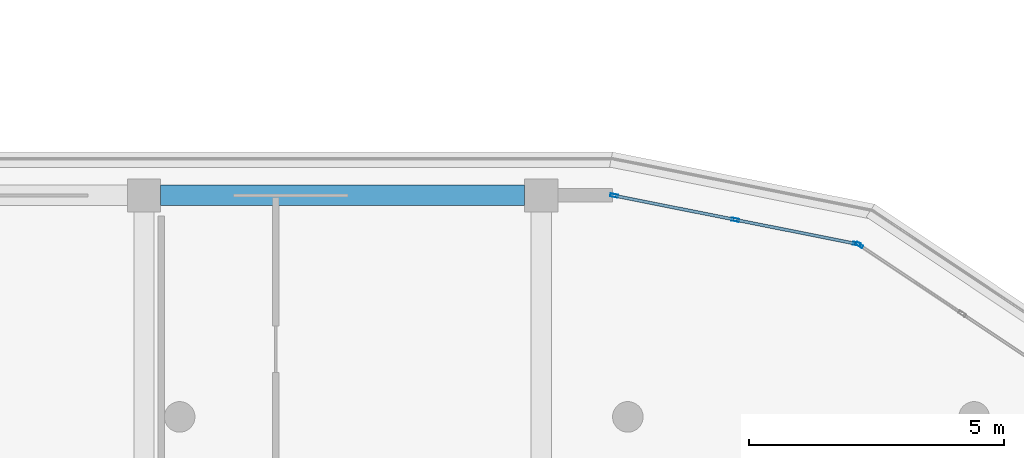
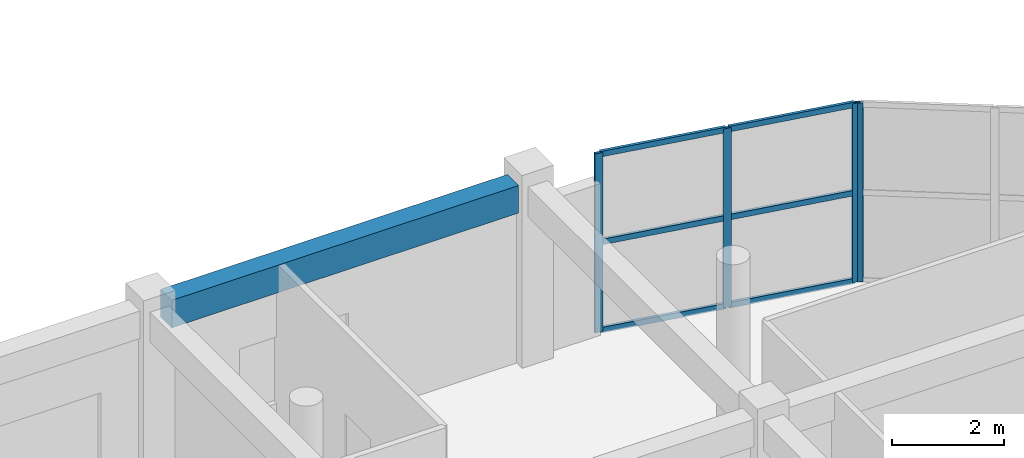
# One storey, part 35 of 57: 10 members, 1 beam, 2 elements without a shape of their own.
"""IFC4 building model written with IfcOpenShell, lengths in metres."""

from ifc_helpers import new_model, si_unit, direction, frame, origin, origin_2d, place, context, subcontext, project, spatial, rectangle, hollow_rectangle, extrude, material, layer, layer_set, material_profile, profile_set, type_object, element, aggregate, save


model = new_model("IFC4")

# Units and contexts
model_context = context("Model", 3, precision=1e-05, world=origin(), true_north=direction((0.0, 1.0)))
body_context = subcontext(model_context, "Body", "Model", "MODEL_VIEW")
ifc_project = project(units=[si_unit("LENGTHUNIT", "METRE"), si_unit("AREAUNIT", "SQUARE_METRE"), si_unit("VOLUMEUNIT", "CUBIC_METRE"), si_unit("PLANEANGLEUNIT", "RADIAN"), si_unit("MASSUNIT", "GRAM", prefix="KILO")], contexts=[model_context])

# Site, building, storey
site_placement = place(None, origin())
site = spatial("IfcSite", under=ifc_project, at=site_placement, CompositionType="ELEMENT")
building_placement = place(site_placement, origin())
building = spatial("IfcBuilding", under=site, at=building_placement, Name="Zizhar Promenade General Hospital", CompositionType="ELEMENT")
storey_placement = place(building_placement, frame((0.0, 0.0, 22.199951171875)))
storey = spatial("IfcBuildingStorey", under=building, at=storey_placement, Name="L05", CompositionType="ELEMENT", Elevation=22.199951171875)

# Beam
ifc_material_1 = material(Name="Concrete C35/45", Category="concrete")
ifc_material_profile_1 = material_profile(ifc_material_1, rectangle(XDim=0.39990234375, YDim=0.60009765625, at=origin_2d()))
ifc_profile_set_1 = profile_set([ifc_material_profile_1], Name="Concrete C35/45")
beam_type = type_object("IfcBeamType", Name="BM-RC-400x600", PredefinedType="JOIST", material=ifc_profile_set_1)
beam_placement = place(storey_placement, frame((109.52490234375, 25.199951171875, 3.610107421875), z_axis=(1.0, 0.0, 0.0), x_axis=(0.0, 1.0, 0.0)))
element("IfcBeam", 1, at=beam_placement, inside=storey, type_object=beam_type, Name="Grid Beam X L05 (14-3)", PredefinedType="JOIST", context=body_context, shape_type="SweptSolid", body=[
    extrude(rectangle(XDim=0.39990234375, YDim=0.60009765625, at=origin_2d()), origin(), (0.0, 0.0, 1.0), 7.150146484375),
])

# Curtain wall, member
ifc_material_2 = material(Name="Anodised aluminium 6063-T6 and low-E glass", Category="aluminium")
ifc_layer = layer(ifc_material_2, 0.159912109375)
ifc_layer_set = layer_set([ifc_layer], Name="Anodised aluminium 6063-T6 and low-E glass")
curtain_wall_type = type_object("IfcCurtainWallType", Name="CW-WARD-ARC", PredefinedType="NOTDEFINED", material=ifc_layer_set)
curtain_wall_1_placement = place(storey_placement, origin())
curtain_wall_1 = element("IfcCurtainWall", 2, at=curtain_wall_1_placement, inside=storey, type_object=curtain_wall_type, Name="Ward Semicircular End Glazing L05-07", PredefinedType="NOTDEFINED")
ifc_material_3 = material(Name="Anodised aluminium 6063-T6", Category="aluminium")
ifc_material_profile_2 = material_profile(ifc_material_3, hollow_rectangle(XDim=0.06005859375, YDim=0.14990234375, WallThickness=0.00390625, at=origin_2d()))
ifc_profile_set_2 = profile_set([ifc_material_profile_2], Name="Anodised aluminium 6063-T6")
member_type_1 = type_object("IfcMemberType", Name="CWM-ALU-150x60", PredefinedType="MULLION", material=ifc_profile_set_2)
member_1_placement = place(storey_placement, frame((123.246826171875, 24.22412109375, 0.0), z_axis=(0.0, 0.0, 1.0), x_axis=(0.555582352095, 0.831461514468, 0.0)))
member_1 = element("IfcMember", 3, at=member_1_placement, type_object=member_type_1, Name="CW-12 mullion 1", PredefinedType="MULLION", context=body_context, shape_type="SweptSolid", body=[
    extrude(hollow_rectangle(XDim=0.06005859375, YDim=0.14990234375, WallThickness=0.00390625, at=origin_2d()), origin(), (0.0, 0.0, 1.0), 3.900146484375),
])
aggregate(curtain_wall_1, [member_1])

# Curtain wall, members
curtain_wall_2_placement = place(storey_placement, origin())
curtain_wall_2 = element("IfcCurtainWall", 4, at=curtain_wall_2_placement, inside=storey, type_object=curtain_wall_type, Name="Ward Semicircular End Glazing L05-08", PredefinedType="NOTDEFINED")
member_2_placement = place(storey_placement, frame((118.429443359375, 25.194091796875, 0.0), z_axis=(0.0, 0.0, 1.0), x_axis=(0.195087259275, 0.980785889615, 0.0)))
member_2 = element("IfcMember", 5, at=member_2_placement, type_object=member_type_1, Name="CW-12 mullion 1", PredefinedType="MULLION", context=body_context, shape_type="SweptSolid", body=[
    extrude(hollow_rectangle(XDim=0.06005859375, YDim=0.14990234375, WallThickness=0.00390625, at=origin_2d()), origin(), (0.0, 0.0, 1.0), 3.900146484375),
])
member_3_placement = place(storey_placement, frame((120.810791015625, 24.720458984375, 0.0), z_axis=(0.0, 0.0, 1.0), x_axis=(0.195087259275, 0.980785889615, 0.0)))
member_3 = element("IfcMember", 6, at=member_3_placement, type_object=member_type_1, Name="CW-12 mullion 2", PredefinedType="MULLION", context=body_context, shape_type="SweptSolid", body=[
    extrude(hollow_rectangle(XDim=0.06005859375, YDim=0.14990234375, WallThickness=0.00390625, at=origin_2d()), origin(), (0.0, 0.0, 1.0), 3.900146484375),
])
member_4_placement = place(storey_placement, frame((123.1923828125, 24.246826171875, 0.0), z_axis=(0.0, 0.0, 1.0), x_axis=(0.195087259275, 0.980785889615, 0.0)))
member_4 = element("IfcMember", 7, at=member_4_placement, type_object=member_type_1, Name="CW-12 mullion 3", PredefinedType="MULLION", context=body_context, shape_type="SweptSolid", body=[
    extrude(hollow_rectangle(XDim=0.06005859375, YDim=0.14990234375, WallThickness=0.00390625, at=origin_2d()), origin(), (0.0, 0.0, 1.0), 3.900146484375),
])
ifc_material_4 = material(Name="Anodised aluminium 6063-T6", Category="aluminium")
ifc_material_profile_3 = material_profile(ifc_material_4, hollow_rectangle(XDim=0.06005859375, YDim=0.1201171875, WallThickness=0.00390625, at=origin_2d()))
ifc_profile_set_3 = profile_set([ifc_material_profile_3], Name="Anodised aluminium 6063-T6")
member_type_2 = type_object("IfcMemberType", Name="CWT-ALU-120x60", PredefinedType="USERDEFINED", material=ifc_profile_set_3)
member_5_placement = place(storey_placement, frame((118.458740234375, 25.188232421875, 0.030029296875), z_axis=(0.980794200422, -0.195045472693, 0.0), x_axis=(0.195045472693, 0.980794200422, 0.0)))
member_5 = element("IfcMember", 8, at=member_5_placement, type_object=member_type_2, Name="CW-12 transom 1.1", ObjectType="TRANSOM", PredefinedType="USERDEFINED", context=body_context, shape_type="SweptSolid", body=[
    extrude(hollow_rectangle(XDim=0.06005859375, YDim=0.1201171875, WallThickness=0.00390625, at=origin_2d()), origin(), (0.0, 0.0, 1.0), 2.3681640625),
])
member_6_placement = place(storey_placement, frame((118.458740234375, 25.188232421875, 1.949951171875), z_axis=(0.980794200422, -0.195045472693, 0.0), x_axis=(0.195045472693, 0.980794200422, 0.0)))
member_6 = element("IfcMember", 9, at=member_6_placement, type_object=member_type_2, Name="CW-12 transom 1.2", ObjectType="TRANSOM", PredefinedType="USERDEFINED", context=body_context, shape_type="SweptSolid", body=[
    extrude(hollow_rectangle(XDim=0.06005859375, YDim=0.1201171875, WallThickness=0.00390625, at=origin_2d()), origin(), (0.0, 0.0, 1.0), 2.3681640625),
])
member_7_placement = place(storey_placement, frame((118.458740234375, 25.188232421875, 3.8701171875), z_axis=(0.980794200422, -0.195045472693, 0.0), x_axis=(0.195045472693, 0.980794200422, 0.0)))
member_7 = element("IfcMember", 10, at=member_7_placement, type_object=member_type_2, Name="CW-12 transom 1.3", ObjectType="TRANSOM", PredefinedType="USERDEFINED", context=body_context, shape_type="SweptSolid", body=[
    extrude(hollow_rectangle(XDim=0.06005859375, YDim=0.1201171875, WallThickness=0.00390625, at=origin_2d()), origin(), (0.0, 0.0, 1.0), 2.3681640625),
])
member_8_placement = place(storey_placement, frame((120.84033203125, 24.714599609375, 0.030029296875), z_axis=(0.980790278018, -0.195065195628, 0.0), x_axis=(0.195065195628, 0.980790278018, 0.0)))
member_8 = element("IfcMember", 11, at=member_8_placement, type_object=member_type_2, Name="CW-12 transom 2.1", ObjectType="TRANSOM", PredefinedType="USERDEFINED", context=body_context, shape_type="SweptSolid", body=[
    extrude(hollow_rectangle(XDim=0.06005859375, YDim=0.1201171875, WallThickness=0.00390625, at=origin_2d()), origin(), (0.0, 0.0, 1.0), 2.367919921875),
])
member_9_placement = place(storey_placement, frame((120.84033203125, 24.714599609375, 1.949951171875), z_axis=(0.980790278018, -0.195065195628, 0.0), x_axis=(0.195065195628, 0.980790278018, 0.0)))
member_9 = element("IfcMember", 12, at=member_9_placement, type_object=member_type_2, Name="CW-12 transom 2.2", ObjectType="TRANSOM", PredefinedType="USERDEFINED", context=body_context, shape_type="SweptSolid", body=[
    extrude(hollow_rectangle(XDim=0.06005859375, YDim=0.1201171875, WallThickness=0.00390625, at=origin_2d()), origin(), (0.0, 0.0, 1.0), 2.367919921875),
])
member_10_placement = place(storey_placement, frame((120.84033203125, 24.714599609375, 3.8701171875), z_axis=(0.980790278018, -0.195065195628, 0.0), x_axis=(0.195065195628, 0.980790278018, 0.0)))
member_10 = element("IfcMember", 13, at=member_10_placement, type_object=member_type_2, Name="CW-12 transom 2.3", ObjectType="TRANSOM", PredefinedType="USERDEFINED", context=body_context, shape_type="SweptSolid", body=[
    extrude(hollow_rectangle(XDim=0.06005859375, YDim=0.1201171875, WallThickness=0.00390625, at=origin_2d()), origin(), (0.0, 0.0, 1.0), 2.367919921875),
])
aggregate(curtain_wall_2, [member_2, member_3, member_4, member_5, member_6, member_7, member_8, member_9, member_10])

save(model, "model.ifc")
